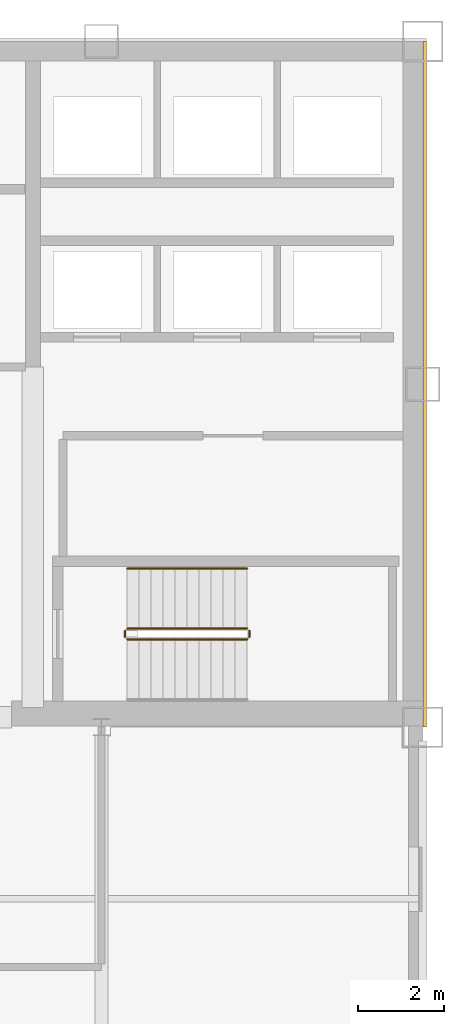
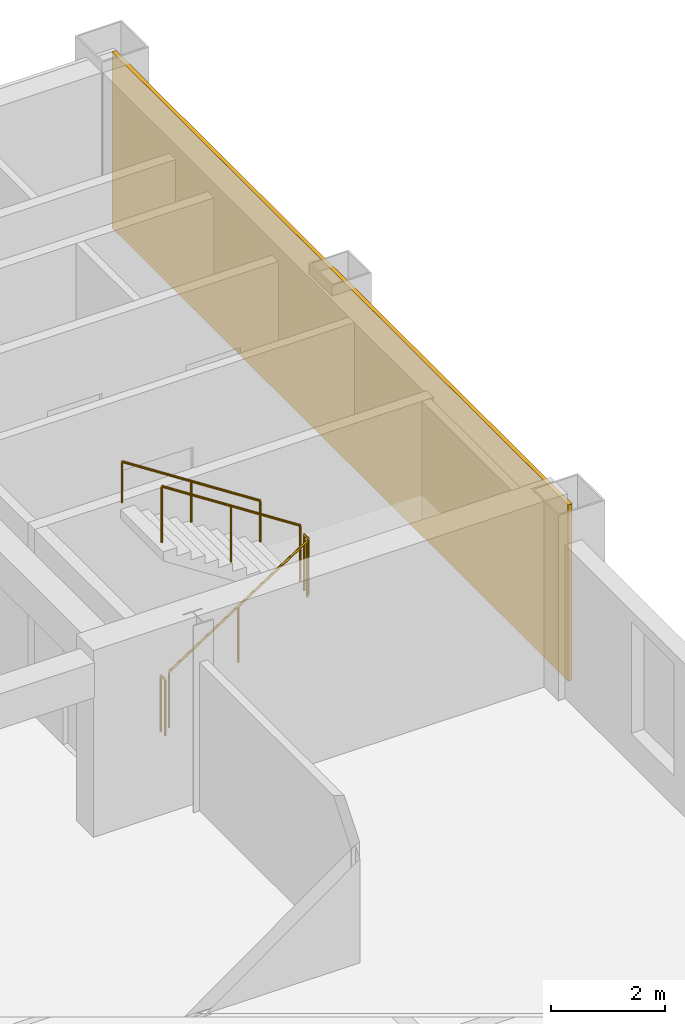
# One storey, part 8 of 9: 5 railings, 1 covering.
"""IFC4 building model written with IfcOpenShell, lengths in metres."""

from ifc_helpers import new_model, si_unit, direction, frame, origin, origin_2d, place, context, subcontext, project, spatial, rectangle, circle, extrude, material, layer, layer_set, type_object, element, save


model = new_model("IFC4")

# Units and contexts
model_context = context("Model", 3, precision=1e-05, world=origin(), true_north=direction((0.0, 1.0)))
body_context = subcontext(model_context, "Body", "Model", "MODEL_VIEW")
ifc_project = project(units=[si_unit("LENGTHUNIT", "METRE"), si_unit("AREAUNIT", "SQUARE_METRE"), si_unit("VOLUMEUNIT", "CUBIC_METRE"), si_unit("PLANEANGLEUNIT", "RADIAN"), si_unit("MASSUNIT", "GRAM", prefix="KILO")], contexts=[model_context])

# Site, building, storey
site_placement = place(None, origin())
site = spatial("IfcSite", under=ifc_project, at=site_placement, CompositionType="ELEMENT")
building_placement = place(site_placement, origin())
building = spatial("IfcBuilding", under=site, at=building_placement, Name="Qianrong Seaharbour Tower", CompositionType="ELEMENT")
storey_placement = place(building_placement, frame((0.0, 0.0, 221.800048828125)))
storey = spatial("IfcBuildingStorey", under=building, at=storey_placement, Name="L53", CompositionType="ELEMENT", Elevation=221.800048828125)

# Covering
ifc_material_1 = material(Name="Unitised red brick cladding on Precast concrete C45/55", Category="masonry")
ifc_layer = layer(ifc_material_1, 0.080078125)
ifc_layer_set = layer_set([ifc_layer], Name="Unitised red brick cladding on Precast concrete C45/55")
covering_type = type_object("IfcCoveringType", Name="COV-CLAD-RED-BRICK-80", PredefinedType="CLADDING", material=ifc_layer_set)
covering_placement = place(storey_placement, frame((64.0400390625, 44.0, 0.0), z_axis=(0.0, 0.0, 1.0), x_axis=(1.0, 0.0, 0.0)))
element("IfcCovering", 1, at=covering_placement, inside=storey, type_object=covering_type, Name="L53 East Core Brick Veneer Cladding", PredefinedType="CLADDING", context=body_context, shape_type="SweptSolid", body=[
    extrude(rectangle(XDim=0.080078125, YDim=16.0, at=origin_2d()), origin(), (0.0, 0.0, 1.0), 3.77490234375),
])

# Railings
ifc_material_2 = material(Name="Galvanized painted steel SN400B stair guard", Category="steel")
railing_type_1 = type_object("IfcRailingType", Name="RAIL-STAIR-GUARD-1220", PredefinedType="GUARDRAIL", material=ifc_material_2)
railing_1_placement = place(storey_placement, frame((57.10009765625, 38.050048828125, 0.181884765625)))
element("IfcRailing", 2, at=railing_1_placement, inside=storey, type_object=railing_type_1, Name="L53 ST-2 stair guard 1", PredefinedType="GUARDRAIL", context=body_context, shape_type="SweptSolid", body=[
    extrude(circle(Radius=0.02392578125, at=origin_2d()), frame((0.0, 0.0, 1.19580078125), z_axis=(0.83868413941, 0.0, 0.544618136222), x_axis=(0.0, 1.0, 0.0)), (0.0, 0.0, 1.0), 3.33837890625),
    extrude(circle(Radius=0.02099609375, at=origin_2d()), origin(), (0.0, 0.0, 1.0), 1.171875),
    extrude(circle(Radius=0.02099609375, at=origin_2d()), frame((1.39990234375, 0.0, 0.9091796875)), (0.0, 0.0, 1.0), 1.171875),
    extrude(circle(Radius=0.02099609375, at=origin_2d()), frame((2.7998046875, 0.0, 1.818115234375)), (0.0, 0.0, 1.0), 1.171875),
])
railing_2_placement = place(storey_placement, frame((59.949951171875, 38.10009765625, 2.0)))
element("IfcRailing", 3, at=railing_2_placement, inside=storey, type_object=railing_type_1, Name="L53 ST-2 stair guard 2", PredefinedType="GUARDRAIL", context=body_context, shape_type="SweptSolid", body=[
    extrude(circle(Radius=0.02392578125, at=origin_2d()), frame((0.0, 0.0, 1.19580078125), z_axis=(0.0, 1.0, 0.0), x_axis=(-1.0, 0.0, 0.0)), (0.0, 0.0, 1.0), 0.14990234375),
    extrude(circle(Radius=0.02099609375, at=origin_2d()), origin(), (0.0, 0.0, 1.0), 1.171875),
    extrude(circle(Radius=0.02099609375, at=origin_2d()), frame((0.0, 0.14990234375, 0.0)), (0.0, 0.0, 1.0), 1.171875),
])
railing_3_placement = place(storey_placement, frame((59.89990234375, 38.300048828125, 2.181884765625)))
element("IfcRailing", 4, at=railing_3_placement, inside=storey, type_object=railing_type_1, Name="L53 ST-2 stair guard 3", PredefinedType="GUARDRAIL", context=body_context, shape_type="SweptSolid", body=[
    extrude(circle(Radius=0.02392578125, at=origin_2d()), frame((0.0, 0.0, 1.19580078125), z_axis=(-0.83868413941, 0.0, 0.544618136222), x_axis=(0.0, -1.0, 0.0)), (0.0, 0.0, 1.0), 3.33837890625),
    extrude(circle(Radius=0.02099609375, at=origin_2d()), origin(), (0.0, 0.0, 1.0), 1.171875),
    extrude(circle(Radius=0.02099609375, at=origin_2d()), frame((-1.39990234375, 0.0, 0.9091796875)), (0.0, 0.0, 1.0), 1.171875),
    extrude(circle(Radius=0.02099609375, at=origin_2d()), frame((-2.7998046875, 0.0, 1.818115234375)), (0.0, 0.0, 1.0), 1.171875),
])
railing_4_placement = place(storey_placement, frame((57.050048828125, 38.10009765625, 0.0)))
element("IfcRailing", 5, at=railing_4_placement, inside=storey, type_object=railing_type_1, Name="L53 ST-2 stair guard 4", PredefinedType="GUARDRAIL", context=body_context, shape_type="SweptSolid", body=[
    extrude(circle(Radius=0.02392578125, at=origin_2d()), frame((0.0, 0.0, 1.19580078125), z_axis=(0.0, 1.0, 0.0), x_axis=(-1.0, 0.0, 0.0)), (0.0, 0.0, 1.0), 0.14990234375),
    extrude(circle(Radius=0.02099609375, at=origin_2d()), origin(), (0.0, 0.0, 1.0), 1.171875),
    extrude(circle(Radius=0.02099609375, at=origin_2d()), frame((0.0, 0.14990234375, 0.0)), (0.0, 0.0, 1.0), 1.171875),
])
ifc_material_3 = material(Name="Stainless steel SUS316L continuous handrail", Category="steel")
railing_type_2 = type_object("IfcRailingType", Name="RAIL-STAIR-HANDRAIL-900", PredefinedType="HANDRAIL", material=ifc_material_3)
railing_5_placement = place(storey_placement, frame((59.89990234375, 39.699951171875, 2.181884765625)))
element("IfcRailing", 6, at=railing_5_placement, inside=storey, type_object=railing_type_2, Name="L53 ST-2 stair handrail 2", PredefinedType="HANDRAIL", context=body_context, shape_type="SweptSolid", body=[
    extrude(circle(Radius=0.02392578125, at=origin_2d()), frame((0.0, 0.0, 0.8759765625), z_axis=(-0.83868413941, 0.0, 0.544618136222), x_axis=(0.0, -1.0, 0.0)), (0.0, 0.0, 1.0), 3.33837890625),
    extrude(circle(Radius=0.02099609375, at=origin_2d()), origin(), (0.0, 0.0, 1.0), 0.851806640625),
    extrude(circle(Radius=0.02099609375, at=origin_2d()), frame((-1.39990234375, 0.0, 0.9091796875)), (0.0, 0.0, 1.0), 0.851806640625),
    extrude(circle(Radius=0.02099609375, at=origin_2d()), frame((-2.7998046875, 0.0, 1.818115234375)), (0.0, 0.0, 1.0), 0.851806640625),
])

save(model, "model.ifc")
